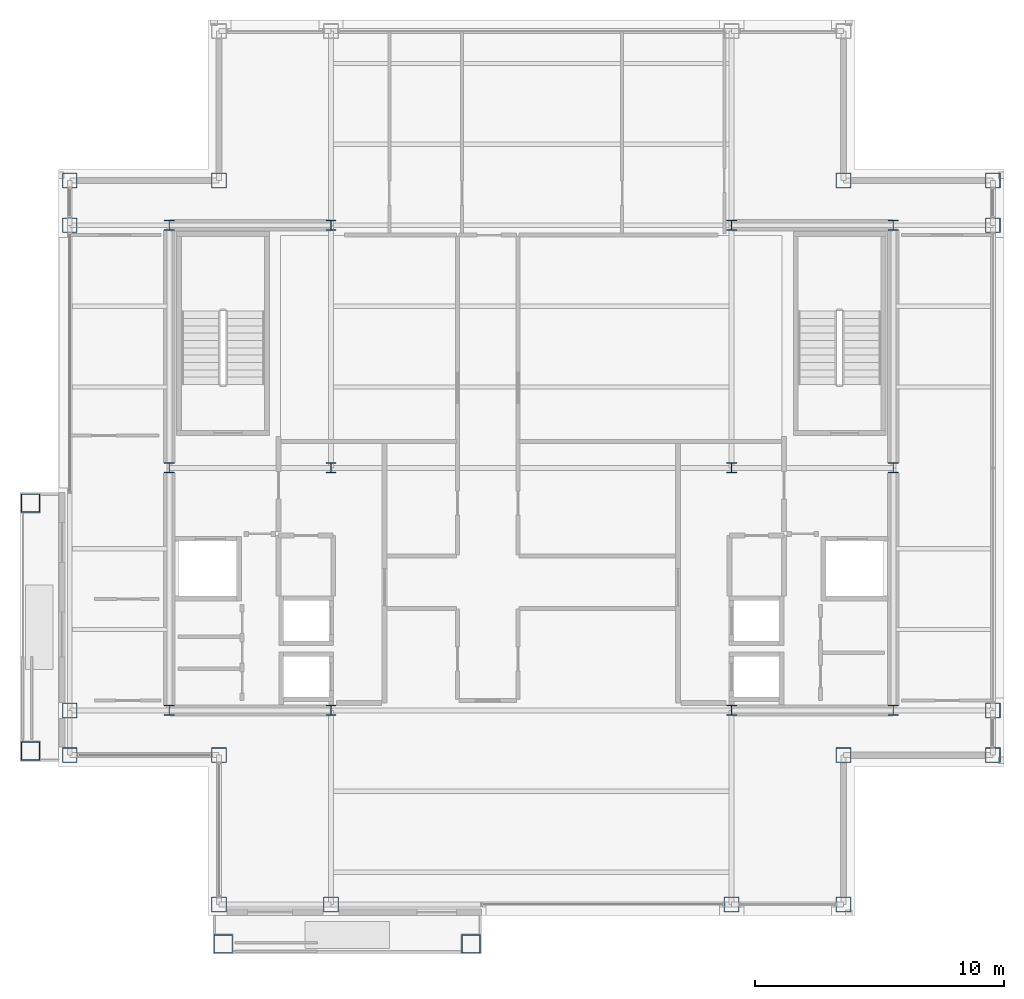
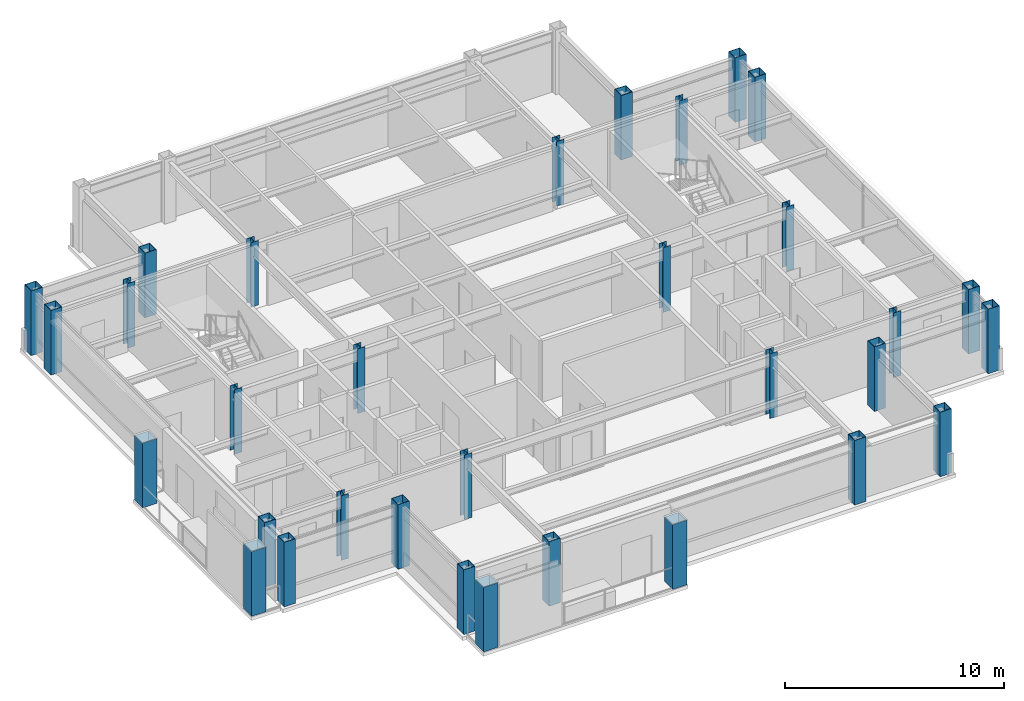
# One storey, part 1 of 24: 32 columns.
"""IFC4 building model written with IfcOpenShell, lengths in metres."""

import ifcopenshell
import ifcopenshell.guid

model = None  # the IFC model being written
_history = None  # IfcOwnerHistory: only IFC2X3 demands one
_inside = {}  # id of a spatial element -> (the spatial element, [elements in it])
_under = {}  # id of a project, library or spatial element -> (it, [spatial elements below it])
_declared = {}  # id of a project -> (the project, [libraries it declares])
_typed = {}  # id of a type object -> (the type object, [elements of that type])
_made_of = {}  # id of a material, layer set ... -> (it, [elements and type objects made of it])


def new_model(schema):
    """Start an empty IFC model of exactly this schema.

    Asked for "IFC4X3", IfcOpenShell would pick the latest addendum, in which some entities
    have other attributes; the version numbers below select the first issue.
    IFC2X3 requires an IfcOwnerHistory on every rooted entity: one is made here for all.
    """
    global model, _history
    if schema == "IFC4X3":
        model = ifcopenshell.file(schema_version=(4, 3, 0, 0))
    else:
        model = ifcopenshell.file(schema=schema)
    _inside.clear()
    _under.clear()
    _declared.clear()
    _typed.clear()
    _made_of.clear()
    _history = None
    if model.schema == "IFC2X3":
        org = make("IfcOrganization", Name="unknown")
        user = make(
            "IfcPersonAndOrganization",
            ThePerson=make("IfcPerson", FamilyName="unknown"),
            TheOrganization=org,
        )
        app = make(
            "IfcApplication",
            ApplicationDeveloper=org,
            Version="unknown",
            ApplicationFullName="unknown",
            ApplicationIdentifier="unknown",
        )
        _history = make(
            "IfcOwnerHistory",
            OwningUser=user,
            OwningApplication=app,
            ChangeAction="ADDED",
            CreationDate=0,
        )
    return model


def make(cls, **values):
    """One entity of the class cls with the attributes given. An attribute that is None is left unset."""
    return model.create_entity(
        cls, **{name: value for name, value in values.items() if value is not None}
    )


def rooted(cls, **values):
    """An entity with a GlobalId (a new one), such as an element, a storey or a relation."""
    return make(cls, GlobalId=ifcopenshell.guid.new(), OwnerHistory=_history, **values)


def si_unit(unit_type, name, prefix=None):
    """IfcSIUnit, for example si_unit("LENGTHUNIT", "METRE", prefix="MILLI")."""
    return make("IfcSIUnit", UnitType=unit_type, Prefix=prefix, Name=name)


def assignment(units):
    """IfcUnitAssignment: the units of a project."""
    return None if units is None else make("IfcUnitAssignment", Units=units)


def point(xyz):
    """IfcCartesianPoint."""
    return None if xyz is None else make("IfcCartesianPoint", Coordinates=xyz)


def direction(xyz):
    """IfcDirection."""
    return None if xyz is None else make("IfcDirection", DirectionRatios=xyz)


def frame(location, z_axis=None, x_axis=None):
    """IfcAxis2Placement3D, a coordinate frame: its origin and axes. An axis left out is left unset."""
    return make(
        "IfcAxis2Placement3D",
        Location=point(location),
        Axis=direction(z_axis),
        RefDirection=direction(x_axis),
    )


def frame_2d(location, x_axis=None):
    """IfcAxis2Placement2D, a coordinate frame in the plane: its origin and x axis."""
    return make(
        "IfcAxis2Placement2D", Location=point(location), RefDirection=direction(x_axis)
    )


def origin():
    """The frame at (0, 0, 0) with its axes left unset."""
    return frame((0.0, 0.0, 0.0))


def origin_2d():
    """The frame at (0, 0) in the plane with its x axis left unset."""
    return frame_2d((0.0, 0.0))


def place(relative_to, where):
    """IfcLocalPlacement: puts the frame where relative to a parent placement (None: the world)."""
    return make(
        "IfcLocalPlacement", PlacementRelTo=relative_to, RelativePlacement=where
    )


def context(
    kind, dimensions, precision=None, world=None, true_north=None, identifier=None
):
    """IfcGeometricRepresentationContext, for example the 3D "Model" context."""
    return make(
        "IfcGeometricRepresentationContext",
        ContextIdentifier=identifier,
        ContextType=kind,
        CoordinateSpaceDimension=dimensions,
        Precision=precision,
        WorldCoordinateSystem=world,
        TrueNorth=true_north,
    )


def subcontext(parent, identifier, kind, view, scale=None):
    """IfcGeometricRepresentationSubContext, for example "Body" below "Model"."""
    return make(
        "IfcGeometricRepresentationSubContext",
        ContextIdentifier=identifier,
        ContextType=kind,
        ParentContext=parent,
        TargetScale=scale,
        TargetView=view,
    )


def project(units=None, contexts=None):
    """IfcProject with its units and contexts."""
    return rooted(
        "IfcProject",
        Name="project",
        RepresentationContexts=contexts,
        UnitsInContext=assignment(units),
    )


def spatial(cls, under=None, at=None, **own):
    """A site, building, storey or space (cls), placed at a placement, below another one or the project."""
    s = rooted(cls, ObjectPlacement=at, **own)
    if under is not None:
        _under.setdefault(under.id(), (under, []))[1].append(s)
    return s


def profile(cls, at=None, kind="AREA", **sizes):
    """A parametric profile (cls). Its sizes go by their IFC names, for example OverallWidth=200.0."""
    return make(cls, ProfileType=kind, Position=at, **sizes)


def hollow_rectangle(**sizes):
    """IfcRectangleHollowProfileDef."""
    return profile("IfcRectangleHollowProfileDef", **sizes)


def i_section(**sizes):
    """IfcIShapeProfileDef."""
    return profile("IfcIShapeProfileDef", **sizes)


def extrude(swept, where, along, depth):
    """IfcExtrudedAreaSolid: the profile swept, set in the frame where, extruded along a direction by depth."""
    return make(
        "IfcExtrudedAreaSolid",
        SweptArea=swept,
        Position=where,
        ExtrudedDirection=direction(along),
        Depth=depth,
    )


def shape(context_of_items, identifier, shape_type, items):
    """IfcShapeRepresentation: the items that make up one representation, for example the "Body"."""
    return make(
        "IfcShapeRepresentation",
        ContextOfItems=context_of_items,
        RepresentationIdentifier=identifier,
        RepresentationType=shape_type,
        Items=items,
    )


def material(Name=None, Category=None):
    """IfcMaterial."""
    return make("IfcMaterial", Name=Name, Category=Category)


def material_profile(
    of_material, cross_section, Name=None, Category=None, Priority=None
):
    """IfcMaterialProfile: a cross section and its material."""
    return make(
        "IfcMaterialProfile",
        Name=Name,
        Material=of_material,
        Profile=cross_section,
        Priority=Priority,
        Category=Category,
    )


def profile_set(profiles, Name=None, composite=None):
    """IfcMaterialProfileSet."""
    return make(
        "IfcMaterialProfileSet",
        Name=Name,
        MaterialProfiles=profiles,
        CompositeProfile=composite,
    )


def made_of(thing, what):
    """Note that an element or type object is made of a material, layer set ...; save() writes the relation."""
    if what is not None:
        _made_of.setdefault(what.id(), (what, []))[1].append(thing)
    return thing


def type_object(cls, material=None, **own):
    """A type object (cls), such as IfcWallType, which elements share."""
    return made_of(rooted(cls, **own), material)


def element(
    cls,
    number,
    at=None,
    inside=None,
    cuts=None,
    type_object=None,
    material=None,
    context=None,
    identifier="Body",
    shape_type=None,
    held_by="IfcProductDefinitionShape",
    body=None,
    shapes=None,
    **own,
):
    """One element of the class cls, such as IfcWall. Its Tag is "e" and its number.

    at: its placement. inside: the storey or other place that contains it. cuts: it is an
    opening in that element (IfcRelVoidsElement). A single representation is given by context,
    identifier, shape_type and body (its items); several are given by shapes. held_by: the class
    of the entity that holds the representations. save() writes the other relations.
    """
    e = rooted(cls, Tag="e%d" % number, ObjectPlacement=at, **own)
    if body is not None:
        shapes = [shape(context, identifier, shape_type, body)]
    if shapes is not None:
        e.Representation = make(held_by, Representations=shapes)
    if inside is not None:
        _inside.setdefault(inside.id(), (inside, []))[1].append(e)
    if cuts is not None:
        rooted(
            "IfcRelVoidsElement", RelatingBuildingElement=cuts, RelatedOpeningElement=e
        )
    if type_object is not None:
        _typed.setdefault(type_object.id(), (type_object, []))[1].append(e)
    return made_of(e, material)


def aggregate(whole, parts):
    """IfcRelAggregates: a whole, such as a stair, and the parts it consists of."""
    return rooted("IfcRelAggregates", RelatingObject=whole, RelatedObjects=parts)


def save(model, path):
    """Write the relations noted so far, then the file.

    IfcRelAggregates (storeys below a building ...), IfcRelContainedInSpatialStructure (elements
    in a storey), IfcRelDefinesByType, IfcRelAssociatesMaterial and IfcRelDeclares: one each for
    every whole, place, type object, material and project.
    """
    for whole, parts in _under.values():
        aggregate(whole, parts)
    for where, things in _inside.values():
        rooted(
            "IfcRelContainedInSpatialStructure",
            RelatedElements=things,
            RelatingStructure=where,
        )
    for kind, things in _typed.values():
        rooted("IfcRelDefinesByType", RelatedObjects=things, RelatingType=kind)
    for what, things in _made_of.values():
        rooted("IfcRelAssociatesMaterial", RelatedObjects=things, RelatingMaterial=what)
    for by, libraries in _declared.values():
        rooted("IfcRelDeclares", RelatingContext=by, RelatedDefinitions=libraries)
    model.write(path)


model = new_model("IFC4")

# Units and contexts
model_context = context("Model", 3, precision=1e-05, world=origin(), true_north=direction((0.0, 1.0)))
body_context = subcontext(model_context, "Body", "Model", "MODEL_VIEW")
ifc_project = project(units=[si_unit("LENGTHUNIT", "METRE"), si_unit("AREAUNIT", "SQUARE_METRE"), si_unit("VOLUMEUNIT", "CUBIC_METRE"), si_unit("PLANEANGLEUNIT", "RADIAN"), si_unit("MASSUNIT", "GRAM", prefix="KILO")], contexts=[model_context])

# Site, building, storey
site_placement = place(None, origin())
site = spatial("IfcSite", under=ifc_project, at=site_placement, CompositionType="ELEMENT")
building_placement = place(site_placement, origin())
building = spatial("IfcBuilding", under=site, at=building_placement, Name="Brelmoor Portico Tower", CompositionType="ELEMENT")
storey_placement = place(building_placement, frame((0.0, 0.0, 261.60009765625)))
storey = spatial("IfcBuildingStorey", under=building, at=storey_placement, Name="L69", CompositionType="ELEMENT", Elevation=261.60009765625)

# Columns
ifc_material = material(Name="Steel Q355B", Category="steel")
ifc_material_profile_1 = material_profile(ifc_material, hollow_rectangle(XDim=0.60009765625, YDim=0.60009765625, WallThickness=0.02490234375, at=origin_2d()), Name="BOX 600x600x25")
ifc_profile_set_1 = profile_set([ifc_material_profile_1], Name="Steel Q355B")
column_type_1 = type_object("IfcColumnType", Name="COL-MEGA-600", PredefinedType="COLUMN", material=ifc_profile_set_1)
for number, where, z_axis, x_axis, name in (
    (1, (-12.550048828125, -17.550048828125, 0.0), (0.0, 0.0, 1.0), (1.0, 0.0, 0.0), "L69 Perimeter Mega-Column PS01"),
    (2, (-8.050048828125, -17.550048828125, 0.0), (0.0, 0.0, 1.0), (1.0, 0.0, 0.0), "L69 Perimeter Mega-Column PS02"),
    (3, (8.050048828125, -17.550048828125, 0.0), (0.0, 0.0, 1.0), (1.0, 0.0, 0.0), "L69 Perimeter Mega-Column PS03"),
    (4, (12.550048828125, -17.550048828125, 0.0), (0.0, 0.0, 1.0), (1.0, 0.0, 0.0), "L69 Perimeter Mega-Column PS04"),
    (5, (-18.550048828125, -11.550048828125, 0.0), (0.0, 0.0, 1.0), (0.0, 1.0, 0.0), "L69 Perimeter Mega-Column PW01"),
    (6, (-18.550048828125, -9.75, 0.0), (0.0, 0.0, 1.0), (0.0, 1.0, 0.0), "L69 Perimeter Mega-Column PW02"),
    (7, (-18.550048828125, 9.75, 0.0), (0.0, 0.0, 1.0), (0.0, 1.0, 0.0), "L69 Perimeter Mega-Column PW03"),
    (8, (-18.550048828125, 11.550048828125, 0.0), (0.0, 0.0, 1.0), (0.0, 1.0, 0.0), "L69 Perimeter Mega-Column PW04"),
    (9, (18.550048828125, -11.550048828125, 0.0), (0.0, 0.0, 1.0), (0.0, 1.0, 0.0), "L69 Perimeter Mega-Column PE01"),
    (10, (18.550048828125, -9.75, 0.0), (0.0, 0.0, 1.0), (0.0, 1.0, 0.0), "L69 Perimeter Mega-Column PE02"),
    (11, (18.550048828125, 9.75, 0.0), (0.0, 0.0, 1.0), (0.0, 1.0, 0.0), "L69 Perimeter Mega-Column PE03"),
    (12, (18.550048828125, 11.550048828125, 0.0), (0.0, 0.0, 1.0), (0.0, 1.0, 0.0), "L69 Perimeter Mega-Column PE04"),
    (13, (-12.550048828125, 11.550048828125, 0.0), (0.0, 0.0, 1.0), (1.0, 0.0, 0.0), "L69 Perimeter Mega-Column PC-NW"),
    (14, (12.550048828125, 11.550048828125, 0.0), (0.0, 0.0, 1.0), (1.0, 0.0, 0.0), "L69 Perimeter Mega-Column PC-NE"),
    (15, (12.550048828125, -11.550048828125, 0.0), (0.0, 0.0, 1.0), (1.0, 0.0, 0.0), "L69 Perimeter Mega-Column PC-SE"),
    (16, (-12.550048828125, -11.550048828125, 0.0), (0.0, 0.0, 1.0), (1.0, 0.0, 0.0), "L69 Perimeter Mega-Column PC-SW"),
):
    element("IfcColumn", number, at=place(storey_placement, frame(where, z_axis=z_axis, x_axis=x_axis)), inside=storey, type_object=column_type_1, Name=name, PredefinedType="COLUMN", context=body_context, shape_type="SweptSolid", body=[
        extrude(hollow_rectangle(XDim=0.60009765625, YDim=0.60009765625, WallThickness=0.02490234375, at=origin_2d()), origin(), (0.0, 0.0, 1.0), 3.599853515625),
    ])
ifc_material_profile_2 = material_profile(ifc_material, hollow_rectangle(XDim=0.75, YDim=0.75, WallThickness=0.031982421875, at=origin_2d()), Name="BOX 750x750x32")
ifc_profile_set_2 = profile_set([ifc_material_profile_2], Name="Steel Q355B")
column_type_2 = type_object("IfcColumnType", Name="COL-MEGA-750", PredefinedType="COLUMN", material=ifc_profile_set_2)
for number, where, z_axis, x_axis, name in (
    (17, (-12.3798828125, -19.1298828125, 0.0), (0.0, 0.0, 1.0), (1.0, 0.0, 0.0), "L69 Proud Picture-Frame Pier PFJ-S1"),
    (18, (-2.419921875, -19.1298828125, 0.0), (0.0, 0.0, 1.0), (1.0, 0.0, 0.0), "L69 Proud Picture-Frame Pier PFJ-S2"),
    (19, (-20.1298828125, -11.3798828125, 0.0), (0.0, 0.0, 1.0), (0.0, 1.0, 0.0), "L69 Proud Picture-Frame Pier PFJ-W1"),
    (20, (-20.1298828125, -1.419921875, 0.0), (0.0, 0.0, 1.0), (0.0, 1.0, 0.0), "L69 Proud Picture-Frame Pier PFJ-W2"),
):
    element("IfcColumn", number, at=place(storey_placement, frame(where, z_axis=z_axis, x_axis=x_axis)), inside=storey, type_object=column_type_2, Name=name, PredefinedType="COLUMN", context=body_context, shape_type="SweptSolid", body=[
        extrude(hollow_rectangle(XDim=0.75, YDim=0.75, WallThickness=0.031982421875, at=origin_2d()), origin(), (0.0, 0.0, 1.0), 3.599853515625),
    ])
ifc_material_profile_3 = material_profile(ifc_material, i_section(OverallWidth=0.39990234375, OverallDepth=0.39990234375, WebThickness=0.012939453125, FlangeThickness=0.02099609375, at=origin_2d()), Name="HW 400x400x13x21")
ifc_profile_set_3 = profile_set([ifc_material_profile_3], Name="Steel Q355B")
column_type_3 = type_object("IfcColumnType", Name="COL-SPINE-400", PredefinedType="COLUMN", material=ifc_profile_set_3)
for number, where, z_axis, x_axis, name in (
    (21, (-14.550048828125, -9.75, 0.0), (0.0, 0.0, 1.0), (1.0, 0.0, 0.0), "L69 Core Spine Column CW-SW"),
    (22, (-14.550048828125, 0.0, 0.0), (0.0, 0.0, 1.0), (1.0, 0.0, 0.0), "L69 Core Spine Column CW-MW"),
    (23, (-14.550048828125, 9.75, 0.0), (0.0, 0.0, 1.0), (1.0, 0.0, 0.0), "L69 Core Spine Column CW-NW"),
    (24, (-8.050048828125, -9.75, 0.0), (0.0, 0.0, 1.0), (1.0, 0.0, 0.0), "L69 Core Spine Column CW-SE"),
    (25, (-8.050048828125, 0.0, 0.0), (0.0, 0.0, 1.0), (1.0, 0.0, 0.0), "L69 Core Spine Column CW-ME"),
    (26, (-8.050048828125, 9.75, 0.0), (0.0, 0.0, 1.0), (1.0, 0.0, 0.0), "L69 Core Spine Column CW-NE"),
    (27, (8.050048828125, -9.75, 0.0), (0.0, 0.0, 1.0), (1.0, 0.0, 0.0), "L69 Core Spine Column CE-SW"),
    (28, (8.050048828125, 0.0, 0.0), (0.0, 0.0, 1.0), (1.0, 0.0, 0.0), "L69 Core Spine Column CE-MW"),
    (29, (8.050048828125, 9.75, 0.0), (0.0, 0.0, 1.0), (1.0, 0.0, 0.0), "L69 Core Spine Column CE-NW"),
    (30, (14.550048828125, -9.75, 0.0), (0.0, 0.0, 1.0), (1.0, 0.0, 0.0), "L69 Core Spine Column CE-SE"),
    (31, (14.550048828125, 0.0, 0.0), (0.0, 0.0, 1.0), (1.0, 0.0, 0.0), "L69 Core Spine Column CE-ME"),
    (32, (14.550048828125, 9.75, 0.0), (0.0, 0.0, 1.0), (1.0, 0.0, 0.0), "L69 Core Spine Column CE-NE"),
):
    element("IfcColumn", number, at=place(storey_placement, frame(where, z_axis=z_axis, x_axis=x_axis)), inside=storey, type_object=column_type_3, Name=name, PredefinedType="COLUMN", context=body_context, shape_type="SweptSolid", body=[
        extrude(i_section(OverallWidth=0.39990234375, OverallDepth=0.39990234375, WebThickness=0.012939453125, FlangeThickness=0.02099609375, at=origin_2d()), origin(), (0.0, 0.0, 1.0), 3.599853515625),
    ])

save(model, "model.ifc")
